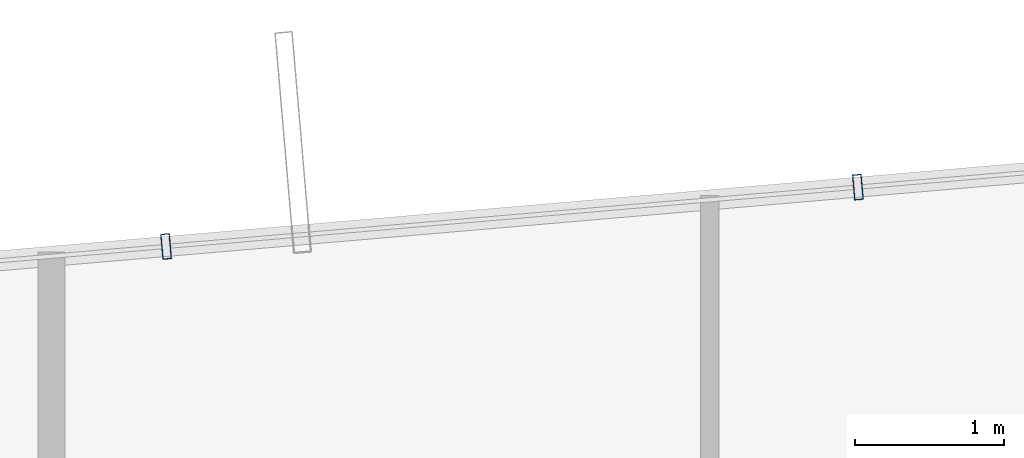
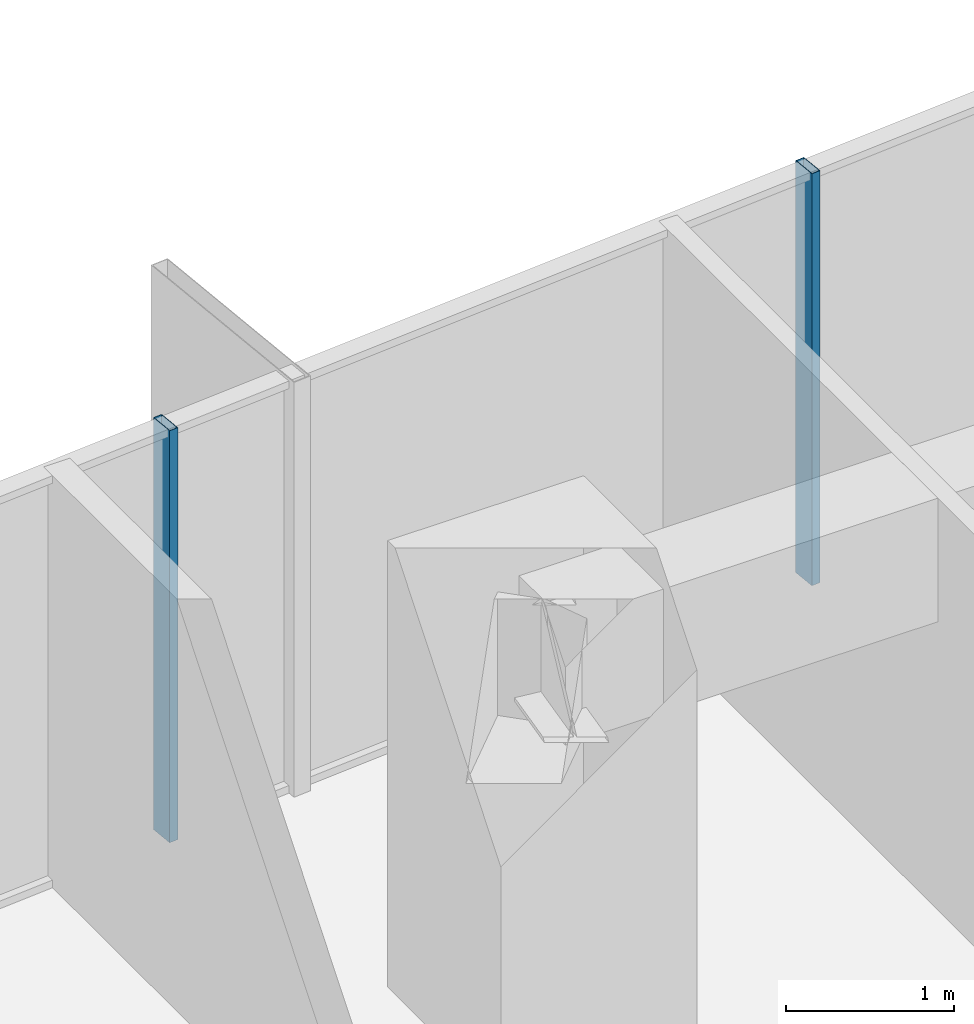
# One storey, part 25 of 37: 2 members, 1 element without a shape of its own.
"""IFC4 building model written with IfcOpenShell, lengths in metres."""

import ifcopenshell
import ifcopenshell.guid

model = None  # the IFC model being written
_history = None  # IfcOwnerHistory: only IFC2X3 demands one
_inside = {}  # id of a spatial element -> (the spatial element, [elements in it])
_under = {}  # id of a project, library or spatial element -> (it, [spatial elements below it])
_declared = {}  # id of a project -> (the project, [libraries it declares])
_typed = {}  # id of a type object -> (the type object, [elements of that type])
_made_of = {}  # id of a material, layer set ... -> (it, [elements and type objects made of it])


def new_model(schema):
    """Start an empty IFC model of exactly this schema.

    Asked for "IFC4X3", IfcOpenShell would pick the latest addendum, in which some entities
    have other attributes; the version numbers below select the first issue.
    IFC2X3 requires an IfcOwnerHistory on every rooted entity: one is made here for all.
    """
    global model, _history
    if schema == "IFC4X3":
        model = ifcopenshell.file(schema_version=(4, 3, 0, 0))
    else:
        model = ifcopenshell.file(schema=schema)
    _inside.clear()
    _under.clear()
    _declared.clear()
    _typed.clear()
    _made_of.clear()
    _history = None
    if model.schema == "IFC2X3":
        org = make("IfcOrganization", Name="unknown")
        user = make(
            "IfcPersonAndOrganization",
            ThePerson=make("IfcPerson", FamilyName="unknown"),
            TheOrganization=org,
        )
        app = make(
            "IfcApplication",
            ApplicationDeveloper=org,
            Version="unknown",
            ApplicationFullName="unknown",
            ApplicationIdentifier="unknown",
        )
        _history = make(
            "IfcOwnerHistory",
            OwningUser=user,
            OwningApplication=app,
            ChangeAction="ADDED",
            CreationDate=0,
        )
    return model


def make(cls, **values):
    """One entity of the class cls with the attributes given. An attribute that is None is left unset."""
    return model.create_entity(
        cls, **{name: value for name, value in values.items() if value is not None}
    )


def rooted(cls, **values):
    """An entity with a GlobalId (a new one), such as an element, a storey or a relation."""
    return make(cls, GlobalId=ifcopenshell.guid.new(), OwnerHistory=_history, **values)


def si_unit(unit_type, name, prefix=None):
    """IfcSIUnit, for example si_unit("LENGTHUNIT", "METRE", prefix="MILLI")."""
    return make("IfcSIUnit", UnitType=unit_type, Prefix=prefix, Name=name)


def assignment(units):
    """IfcUnitAssignment: the units of a project."""
    return None if units is None else make("IfcUnitAssignment", Units=units)


def point(xyz):
    """IfcCartesianPoint."""
    return None if xyz is None else make("IfcCartesianPoint", Coordinates=xyz)


def direction(xyz):
    """IfcDirection."""
    return None if xyz is None else make("IfcDirection", DirectionRatios=xyz)


def frame(location, z_axis=None, x_axis=None):
    """IfcAxis2Placement3D, a coordinate frame: its origin and axes. An axis left out is left unset."""
    return make(
        "IfcAxis2Placement3D",
        Location=point(location),
        Axis=direction(z_axis),
        RefDirection=direction(x_axis),
    )


def frame_2d(location, x_axis=None):
    """IfcAxis2Placement2D, a coordinate frame in the plane: its origin and x axis."""
    return make(
        "IfcAxis2Placement2D", Location=point(location), RefDirection=direction(x_axis)
    )


def origin():
    """The frame at (0, 0, 0) with its axes left unset."""
    return frame((0.0, 0.0, 0.0))


def origin_2d():
    """The frame at (0, 0) in the plane with its x axis left unset."""
    return frame_2d((0.0, 0.0))


def place(relative_to, where):
    """IfcLocalPlacement: puts the frame where relative to a parent placement (None: the world)."""
    return make(
        "IfcLocalPlacement", PlacementRelTo=relative_to, RelativePlacement=where
    )


def context(
    kind, dimensions, precision=None, world=None, true_north=None, identifier=None
):
    """IfcGeometricRepresentationContext, for example the 3D "Model" context."""
    return make(
        "IfcGeometricRepresentationContext",
        ContextIdentifier=identifier,
        ContextType=kind,
        CoordinateSpaceDimension=dimensions,
        Precision=precision,
        WorldCoordinateSystem=world,
        TrueNorth=true_north,
    )


def subcontext(parent, identifier, kind, view, scale=None):
    """IfcGeometricRepresentationSubContext, for example "Body" below "Model"."""
    return make(
        "IfcGeometricRepresentationSubContext",
        ContextIdentifier=identifier,
        ContextType=kind,
        ParentContext=parent,
        TargetScale=scale,
        TargetView=view,
    )


def project(units=None, contexts=None):
    """IfcProject with its units and contexts."""
    return rooted(
        "IfcProject",
        Name="project",
        RepresentationContexts=contexts,
        UnitsInContext=assignment(units),
    )


def spatial(cls, under=None, at=None, **own):
    """A site, building, storey or space (cls), placed at a placement, below another one or the project."""
    s = rooted(cls, ObjectPlacement=at, **own)
    if under is not None:
        _under.setdefault(under.id(), (under, []))[1].append(s)
    return s


def profile(cls, at=None, kind="AREA", **sizes):
    """A parametric profile (cls). Its sizes go by their IFC names, for example OverallWidth=200.0."""
    return make(cls, ProfileType=kind, Position=at, **sizes)


def hollow_rectangle(**sizes):
    """IfcRectangleHollowProfileDef."""
    return profile("IfcRectangleHollowProfileDef", **sizes)


def extrude(swept, where, along, depth):
    """IfcExtrudedAreaSolid: the profile swept, set in the frame where, extruded along a direction by depth."""
    return make(
        "IfcExtrudedAreaSolid",
        SweptArea=swept,
        Position=where,
        ExtrudedDirection=direction(along),
        Depth=depth,
    )


def shape(context_of_items, identifier, shape_type, items):
    """IfcShapeRepresentation: the items that make up one representation, for example the "Body"."""
    return make(
        "IfcShapeRepresentation",
        ContextOfItems=context_of_items,
        RepresentationIdentifier=identifier,
        RepresentationType=shape_type,
        Items=items,
    )


def source(mapping_origin, context_of_items, identifier, shape_type, items):
    """IfcRepresentationMap: a shape defined once, which mapped items show again and again."""
    return make(
        "IfcRepresentationMap",
        MappingOrigin=mapping_origin,
        MappedRepresentation=shape(context_of_items, identifier, shape_type, items),
    )


def transform(
    local_origin,
    x_axis=None,
    y_axis=None,
    z_axis=None,
    scale=None,
    scale2=None,
    scale3=None,
    uniform=True,
):
    """IfcCartesianTransformationOperator3D, or its non-uniform kind. x_axis, y_axis, z_axis: its Axis1, 2, 3."""
    if uniform:
        return make(
            "IfcCartesianTransformationOperator3D",
            Axis1=direction(x_axis),
            Axis2=direction(y_axis),
            LocalOrigin=point(local_origin),
            Scale=scale,
            Axis3=direction(z_axis),
        )
    return make(
        "IfcCartesianTransformationOperator3DnonUniform",
        Axis1=direction(x_axis),
        Axis2=direction(y_axis),
        LocalOrigin=point(local_origin),
        Scale=scale,
        Axis3=direction(z_axis),
        Scale2=scale2,
        Scale3=scale3,
    )


def mapped(mapping_source, mapping_target):
    """IfcMappedItem: shows the shape of a source again, moved by a transform."""
    return make(
        "IfcMappedItem", MappingSource=mapping_source, MappingTarget=mapping_target
    )


def material(Name=None, Category=None):
    """IfcMaterial."""
    return make("IfcMaterial", Name=Name, Category=Category)


def layer(
    of_material, thickness, ventilated=None, Name=None, Category=None, Priority=None
):
    """IfcMaterialLayer: one layer of a wall or slab, of a material (None: an air gap)."""
    return make(
        "IfcMaterialLayer",
        Material=of_material,
        LayerThickness=thickness,
        IsVentilated=ventilated,
        Name=Name,
        Category=Category,
        Priority=Priority,
    )


def layer_set(layers, Name=None):
    """IfcMaterialLayerSet."""
    return make("IfcMaterialLayerSet", MaterialLayers=layers, LayerSetName=Name)


def material_profile(
    of_material, cross_section, Name=None, Category=None, Priority=None
):
    """IfcMaterialProfile: a cross section and its material."""
    return make(
        "IfcMaterialProfile",
        Name=Name,
        Material=of_material,
        Profile=cross_section,
        Priority=Priority,
        Category=Category,
    )


def profile_set(profiles, Name=None, composite=None):
    """IfcMaterialProfileSet."""
    return make(
        "IfcMaterialProfileSet",
        Name=Name,
        MaterialProfiles=profiles,
        CompositeProfile=composite,
    )


def made_of(thing, what):
    """Note that an element or type object is made of a material, layer set ...; save() writes the relation."""
    if what is not None:
        _made_of.setdefault(what.id(), (what, []))[1].append(thing)
    return thing


def type_object(cls, material=None, **own):
    """A type object (cls), such as IfcWallType, which elements share."""
    return made_of(rooted(cls, **own), material)


def element(
    cls,
    number,
    at=None,
    inside=None,
    cuts=None,
    type_object=None,
    material=None,
    context=None,
    identifier="Body",
    shape_type=None,
    held_by="IfcProductDefinitionShape",
    body=None,
    shapes=None,
    **own,
):
    """One element of the class cls, such as IfcWall. Its Tag is "e" and its number.

    at: its placement. inside: the storey or other place that contains it. cuts: it is an
    opening in that element (IfcRelVoidsElement). A single representation is given by context,
    identifier, shape_type and body (its items); several are given by shapes. held_by: the class
    of the entity that holds the representations. save() writes the other relations.
    """
    e = rooted(cls, Tag="e%d" % number, ObjectPlacement=at, **own)
    if body is not None:
        shapes = [shape(context, identifier, shape_type, body)]
    if shapes is not None:
        e.Representation = make(held_by, Representations=shapes)
    if inside is not None:
        _inside.setdefault(inside.id(), (inside, []))[1].append(e)
    if cuts is not None:
        rooted(
            "IfcRelVoidsElement", RelatingBuildingElement=cuts, RelatedOpeningElement=e
        )
    if type_object is not None:
        _typed.setdefault(type_object.id(), (type_object, []))[1].append(e)
    return made_of(e, material)


def aggregate(whole, parts):
    """IfcRelAggregates: a whole, such as a stair, and the parts it consists of."""
    return rooted("IfcRelAggregates", RelatingObject=whole, RelatedObjects=parts)


def save(model, path):
    """Write the relations noted so far, then the file.

    IfcRelAggregates (storeys below a building ...), IfcRelContainedInSpatialStructure (elements
    in a storey), IfcRelDefinesByType, IfcRelAssociatesMaterial and IfcRelDeclares: one each for
    every whole, place, type object, material and project.
    """
    for whole, parts in _under.values():
        aggregate(whole, parts)
    for where, things in _inside.values():
        rooted(
            "IfcRelContainedInSpatialStructure",
            RelatedElements=things,
            RelatingStructure=where,
        )
    for kind, things in _typed.values():
        rooted("IfcRelDefinesByType", RelatedObjects=things, RelatingType=kind)
    for what, things in _made_of.values():
        rooted("IfcRelAssociatesMaterial", RelatedObjects=things, RelatingMaterial=what)
    for by, libraries in _declared.values():
        rooted("IfcRelDeclares", RelatingContext=by, RelatedDefinitions=libraries)
    model.write(path)


model = new_model("IFC4")

# Units and contexts
model_context = context("Model", 3, precision=1e-05, world=origin(), true_north=direction((0.0, 1.0)))
body_context = subcontext(model_context, "Body", "Model", "MODEL_VIEW")
ifc_project = project(units=[si_unit("LENGTHUNIT", "METRE"), si_unit("AREAUNIT", "SQUARE_METRE"), si_unit("VOLUMEUNIT", "CUBIC_METRE"), si_unit("PLANEANGLEUNIT", "RADIAN"), si_unit("MASSUNIT", "GRAM", prefix="KILO")], contexts=[model_context])

# Site, building, storey
site_placement = place(None, origin())
site = spatial("IfcSite", under=ifc_project, at=site_placement, CompositionType="ELEMENT")
building_placement = place(site_placement, origin())
building = spatial("IfcBuilding", under=site, at=building_placement, Name="Veraguas Prism Commons", CompositionType="ELEMENT")
storey_placement = place(building_placement, frame((0.0, 0.0, 40.300048828125)))
storey = spatial("IfcBuildingStorey", under=building, at=storey_placement, Name="L10", CompositionType="ELEMENT", Elevation=40.300048828125)

# Curtain wall, members
ifc_material = material(Name="Anodised aluminium EN AW-6063 T6", Category="aluminium")
ifc_layer = layer(ifc_material, 0.169921875, Name="Unitised Flush Curtain Wall Zone 1", Category="aluminium")
ifc_layer_set = layer_set([ifc_layer], Name="Anodised aluminium EN AW-6063 T6")
curtain_wall_type = type_object("IfcCurtainWallType", Name="Unitised Flush Curtain Wall Zone 1", PredefinedType="NOTDEFINED", material=ifc_layer_set)
curtain_wall_placement = place(storey_placement, origin())
curtain_wall = element("IfcCurtainWall", 1, at=curtain_wall_placement, inside=storey, type_object=curtain_wall_type, Name="Tower Facade Curtain Wall L10-F2", PredefinedType="NOTDEFINED")
ifc_material_profile = material_profile(ifc_material, hollow_rectangle(XDim=0.06005859375, YDim=0.169921875, WallThickness=0.00390625, at=origin_2d()), Name="AL60X170X4")
ifc_profile_set = profile_set([ifc_material_profile], Name="Anodised aluminium EN AW-6063 T6")
member_type = type_object("IfcMemberType", Name="Curtain Wall Mullion Lower AL 60x170x4", PredefinedType="MULLION", material=ifc_profile_set)
shared_shape = source(origin(), body_context, "Body", "SweptSolid", [
    extrude(hollow_rectangle(XDim=0.06005859375, YDim=0.169921875, WallThickness=0.00390625, at=origin_2d()), origin(), (0.0, 0.0, 1.0), 3.0),
])
member_1_placement = place(storey_placement, frame((22.224609375, 44.708740234375, 0.0), z_axis=(0.0, 0.0, 1.0), x_axis=(-0.996345296191, -0.085416923137, 0.0)))
member_1 = element("IfcMember", 2, at=member_1_placement, type_object=member_type, Name="CW-Z1 Mullion 3", PredefinedType="MULLION", context=body_context, shape_type="MappedRepresentation", body=[
    mapped(shared_shape, transform((0.0, 0.0, 0.0), scale=1.0)),
])
member_2_placement = place(storey_placement, frame((17.57080078125, 44.3095703125, 0.0), z_axis=(0.0, 0.0, 1.0), x_axis=(-0.996345296191, -0.085416923137, 0.0)))
member_2 = element("IfcMember", 3, at=member_2_placement, type_object=member_type, Name="CW-Z1 Mullion 4", PredefinedType="MULLION", context=body_context, shape_type="MappedRepresentation", body=[
    mapped(shared_shape, transform((0.0, 0.0, 0.0), scale=1.0)),
])
aggregate(curtain_wall, [member_1, member_2])

save(model, "model.ifc")
